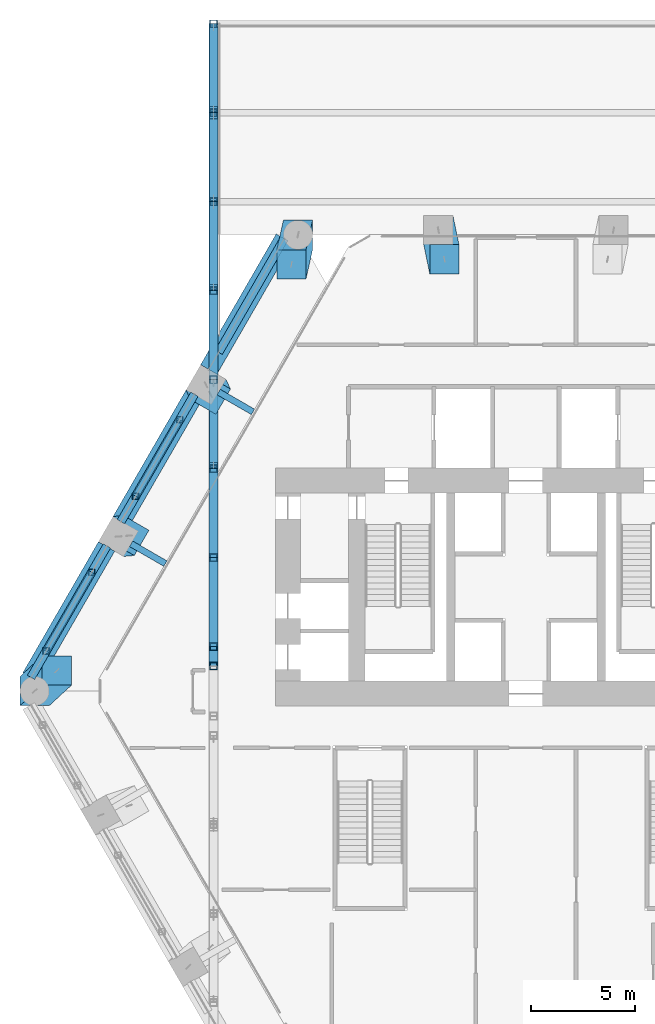
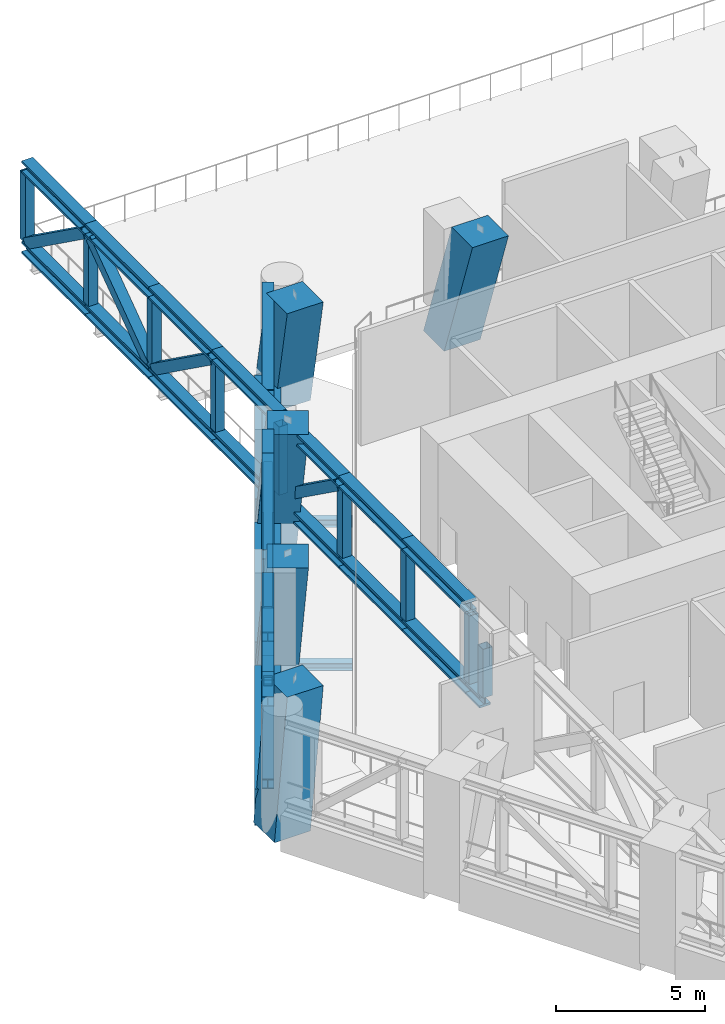
# One storey, part 5 of 20: 49 members, 5 beams.
"""IFC4 building model written with IfcOpenShell, lengths in metres."""

from ifc_helpers import new_model, si_unit, direction, frame, origin, origin_2d, place, context, subcontext, project, spatial, rectangle, hollow_rectangle, i_section, extrude, material, material_profile, profile_set, type_object, element, save


model = new_model("IFC4")

# Units and contexts
model_context = context("Model", 3, precision=1e-05, world=origin(), true_north=direction((0.0, 1.0)))
body_context = subcontext(model_context, "Body", "Model", "MODEL_VIEW")
ifc_project = project(units=[si_unit("LENGTHUNIT", "METRE"), si_unit("AREAUNIT", "SQUARE_METRE"), si_unit("VOLUMEUNIT", "CUBIC_METRE"), si_unit("PLANEANGLEUNIT", "RADIAN"), si_unit("MASSUNIT", "GRAM", prefix="KILO")], contexts=[model_context])

# Site, building, storey
site_placement = place(None, origin())
site = spatial("IfcSite", under=ifc_project, at=site_placement, CompositionType="ELEMENT")
building_placement = place(site_placement, origin())
building = spatial("IfcBuilding", under=site, at=building_placement, Name="Ostrander Bayou Hotel Tower", CompositionType="ELEMENT")
storey_placement = place(building_placement, frame((0.0, 0.0, 80.5)))
storey = spatial("IfcBuildingStorey", under=building, at=storey_placement, Name="L20", CompositionType="ELEMENT", Elevation=80.5)

# Members
ifc_material_1 = material(Name="Steel ASTM A992", Category="steel")
ifc_material_profile_1 = material_profile(ifc_material_1, i_section(OverallWidth=0.403564453125, OverallDepth=0.407470703125, WebThickness=0.027099609375, FlangeThickness=0.043701171875, at=origin_2d()))
ifc_profile_set_1 = profile_set([ifc_material_profile_1], Name="Steel ASTM A992")
member_type_1 = type_object("IfcMemberType", Name="BT1 belt truss chord W14x233", PredefinedType="CHORD", material=ifc_profile_set_1)
for number, where, z_axis, x_axis, name in (
    (1, (-11.5712890625, 20.694091796875, 0.20361328125), (-0.500005559427, -0.866022194024, 0.0), (0.866022194024, -0.500005559427, 0.0), "BT1 L20 NW-1B1"),
    (2, (-11.5712890625, 20.694091796875, 3.59619140625), (-0.500005559427, -0.866022194024, 0.0), (0.866022194024, -0.500005559427, 0.0), "BT1 L20 NW-1T1"),
):
    element("IfcMember", number, at=place(storey_placement, frame(where, z_axis=z_axis, x_axis=x_axis)), inside=storey, type_object=member_type_1, Name=name, PredefinedType="CHORD", context=body_context, shape_type="SweptSolid", body=[
        extrude(i_section(OverallWidth=0.403564453125, OverallDepth=0.407470703125, WebThickness=0.027099609375, FlangeThickness=0.043701171875, at=origin_2d()), origin(), (0.0, 0.0, 1.0), 6.29541015625),
    ])
member_1_placement = place(storey_placement, frame((-15.876708984375, 13.237060546875, 0.20361328125), z_axis=(-0.500012199891, -0.86601836006, 0.0), x_axis=(0.86601836006, -0.500012199891, 0.0)))
element("IfcMember", 3, at=member_1_placement, inside=storey, type_object=member_type_1, Name="BT1 L20 NW-2B1", PredefinedType="CHORD", context=body_context, shape_type="SweptSolid", body=[
    extrude(i_section(OverallWidth=0.403564453125, OverallDepth=0.407470703125, WebThickness=0.027099609375, FlangeThickness=0.043701171875, at=origin_2d()), origin(), (0.0, 0.0, 1.0), 5.640380859375),
])
for number, where, z_axis, x_axis, name in (
    (4, (-18.697021484375, 8.352294921875, 0.20361328125), (-0.500012199891, -0.86601836006, 0.0), (0.86601836006, -0.500012199891, 0.0), "BT1 L20 NW-2B2"),
    (5, (-15.876708984375, 13.237060546875, 3.59619140625), (-0.500012199891, -0.86601836006, 0.0), (0.86601836006, -0.500012199891, 0.0), "BT1 L20 NW-2T1"),
):
    element("IfcMember", number, at=place(storey_placement, frame(where, z_axis=z_axis, x_axis=x_axis)), inside=storey, type_object=member_type_1, Name=name, PredefinedType="CHORD", context=body_context, shape_type="SweptSolid", body=[
        extrude(i_section(OverallWidth=0.403564453125, OverallDepth=0.407470703125, WebThickness=0.027099609375, FlangeThickness=0.043701171875, at=origin_2d()), origin(), (0.0, 0.0, 1.0), 1.41015625),
    ])
member_2_placement = place(storey_placement, frame((-16.581787109375, 12.015869140625, 3.59619140625), z_axis=(-0.500012199891, -0.86601836006, 0.0), x_axis=(0.86601836006, -0.500012199891, 0.0)))
element("IfcMember", 6, at=member_2_placement, inside=storey, type_object=member_type_1, Name="BT1 L20 NW-2T2", PredefinedType="CHORD", context=body_context, shape_type="SweptSolid", body=[
    extrude(i_section(OverallWidth=0.403564453125, OverallDepth=0.407470703125, WebThickness=0.027099609375, FlangeThickness=0.043701171875, at=origin_2d()), origin(), (0.0, 0.0, 1.0), 5.640380859375),
])
member_3_placement = place(storey_placement, frame((-20.072021484375, 5.970458984375, 0.20361328125), z_axis=(-0.50000343918, -0.866023418164, 0.0), x_axis=(0.866023418164, -0.50000343918, 0.0)))
element("IfcMember", 7, at=member_3_placement, inside=storey, type_object=member_type_1, Name="BT1 L20 NW-3B1", PredefinedType="CHORD", context=body_context, shape_type="SweptSolid", body=[
    extrude(i_section(OverallWidth=0.403564453125, OverallDepth=0.407470703125, WebThickness=0.027099609375, FlangeThickness=0.043701171875, at=origin_2d()), origin(), (0.0, 0.0, 1.0), 1.4541015625),
])
for number, where, z_axis, x_axis, name in (
    (8, (-20.799072265625, 4.711181640625, 0.20361328125), (-0.50000343918, -0.866023418164, 0.0), (0.866023418164, -0.50000343918, 0.0), "BT1 L20 NW-3B2"),
    (9, (-20.072021484375, 5.970458984375, 3.59619140625), (-0.50000343918, -0.866023418164, 0.0), (0.866023418164, -0.50000343918, 0.0), "BT1 L20 NW-3T1"),
):
    element("IfcMember", number, at=place(storey_placement, frame(where, z_axis=z_axis, x_axis=x_axis)), inside=storey, type_object=member_type_1, Name=name, PredefinedType="CHORD", context=body_context, shape_type="SweptSolid", body=[
        extrude(i_section(OverallWidth=0.403564453125, OverallDepth=0.407470703125, WebThickness=0.027099609375, FlangeThickness=0.043701171875, at=origin_2d()), origin(), (0.0, 0.0, 1.0), 5.81640625),
    ])
member_4_placement = place(storey_placement, frame((-22.980224609375, 0.933349609375, 3.59619140625), z_axis=(-0.50000343918, -0.866023418164, 0.0), x_axis=(0.866023418164, -0.50000343918, 0.0)))
element("IfcMember", 10, at=member_4_placement, inside=storey, type_object=member_type_1, Name="BT1 L20 NW-3T2", PredefinedType="CHORD", context=body_context, shape_type="SweptSolid", body=[
    extrude(i_section(OverallWidth=0.403564453125, OverallDepth=0.407470703125, WebThickness=0.027099609375, FlangeThickness=0.043701171875, at=origin_2d()), origin(), (0.0, 0.0, 1.0), 1.4541015625),
])
ifc_material_2 = material(Name="Steel ASTM A572 Gr 50", Category="steel")
ifc_material_profile_2 = material_profile(ifc_material_2, hollow_rectangle(XDim=0.3046875, YDim=0.3046875, WallThickness=0.017822265625, at=origin_2d()))
ifc_profile_set_2 = profile_set([ifc_material_profile_2], Name="Steel ASTM A572 Gr 50")
member_type_2 = type_object("IfcMemberType", Name="BT2 belt truss diagonal box 12 x 12 x 3/4", PredefinedType="BRACE", material=ifc_profile_set_2)
member_5_placement = place(storey_placement, frame((-18.697021484375, 8.352294921875, 0.407470703125), z_axis=(0.408540891209, 0.707590560189, 0.57655003195), x_axis=(-0.86601836006, 0.500012199891, 0.0)))
element("IfcMember", 11, at=member_5_placement, inside=storey, type_object=member_type_2, Name="BT2 L20 NW-2D", PredefinedType="BRACE", context=body_context, shape_type="SweptSolid", body=[
    extrude(hollow_rectangle(XDim=0.3046875, YDim=0.3046875, WallThickness=0.017822265625, at=origin_2d()), origin(), (0.0, 0.0, 1.0), 5.177490234375),
])
member_6_placement = place(storey_placement, frame((-20.799072265625, 4.711181640625, 0.407470703125), z_axis=(-0.412639136014, -0.714705394077, 0.564734577574), x_axis=(0.866023418164, -0.50000343918, 0.0)))
element("IfcMember", 12, at=member_6_placement, inside=storey, type_object=member_type_2, Name="BT2 L20 NW-3D", PredefinedType="BRACE", context=body_context, shape_type="SweptSolid", body=[
    extrude(hollow_rectangle(XDim=0.3046875, YDim=0.3046875, WallThickness=0.017822265625, at=origin_2d()), origin(), (0.0, 0.0, 1.0), 5.285888671875),
])
ifc_material_3 = material(Name="Steel ASTM A500 Gr C", Category="steel")
ifc_material_profile_3 = material_profile(ifc_material_3, hollow_rectangle(XDim=0.3046875, YDim=0.3046875, WallThickness=0.0146484375, at=origin_2d()))
ifc_profile_set_3 = profile_set([ifc_material_profile_3], Name="Steel ASTM A500 Gr C")
member_type_3 = type_object("IfcMemberType", Name="BT7 belt truss vertical HSS12x12x5/8", PredefinedType="POST", material=ifc_profile_set_3)
for number, where, z_axis, x_axis, name in (
    (13, (-16.581787109375, 12.015869140625, 0.407470703125), (0.0, 0.0, 1.0), (1.0, 0.0, 0.0), "BT7 L20 NW-2V1"),
    (14, (-18.697021484375, 8.352294921875, 0.407470703125), (0.0, 0.0, 1.0), (1.0, 0.0, 0.0), "BT7 L20 NW-2V2"),
    (15, (-20.799072265625, 4.711181640625, 0.407470703125), (0.0, 0.0, 1.0), (1.0, 0.0, 0.0), "BT7 L20 NW-3V1"),
    (16, (-22.980224609375, 0.933349609375, 0.407470703125), (0.0, 0.0, 1.0), (1.0, 0.0, 0.0), "BT7 L20 NW-3V2"),
):
    element("IfcMember", number, at=place(storey_placement, frame(where, z_axis=z_axis, x_axis=x_axis)), inside=storey, type_object=member_type_3, Name=name, PredefinedType="POST", context=body_context, shape_type="SweptSolid", body=[
        extrude(hollow_rectangle(XDim=0.3046875, YDim=0.3046875, WallThickness=0.0146484375, at=origin_2d()), origin(), (0.0, 0.0, 1.0), 2.985107421875),
    ])
ifc_material_4 = material(Name="Concrete f'c 70 MPa", Category="concrete")
ifc_material_profile_4 = material_profile(ifc_material_4, rectangle(XDim=1.39990234375, YDim=1.39990234375, at=origin_2d()))
ifc_profile_set_4 = profile_set([ifc_material_profile_4], Name="Concrete f'c 70 MPa")
member_type_4 = type_object("IfcMemberType", Name="KC1 kinked column 1400 x 1400 mm f'c 70 MPa", PredefinedType="STRUT", material=ifc_profile_set_4)
member_7_placement = place(storey_placement, frame((-10.916748046875, 20.872314453125, -1.199951171875), z_axis=(0.0, 0.0, 1.0), x_axis=(1.0, 0.0, 0.0)))
element("IfcMember", 17, at=member_7_placement, inside=storey, type_object=member_type_4, Name="KC1 L20 K0", PredefinedType="STRUT", context=body_context, shape_type="SweptSolid", body=[
    extrude(rectangle(XDim=1.39990234375, YDim=1.39990234375, at=origin_2d()), origin(), (-0.061062211322, -0.271543935141, 0.960487010655), 5.205810546875),
])
member_8_placement = place(storey_placement, frame((-23.5341796875, -0.98193359375, -1.199951171875), z_axis=(0.0, 0.0, 1.0), x_axis=(1.0, 0.0, 0.0)))
element("IfcMember", 18, at=member_8_placement, inside=storey, type_object=member_type_4, Name="KC1 L20 K1", PredefinedType="STRUT", context=body_context, shape_type="SweptSolid", body=[
    extrude(rectangle(XDim=1.39990234375, YDim=1.39990234375, at=origin_2d()), origin(), (0.204620963045, 0.188628355115, 0.960494458667), 5.20556640625),
])
member_9_placement = place(storey_placement, frame((-4.1953125, 21.10009765625, -1.199951171875), z_axis=(0.0, 0.0, 1.0), x_axis=(1.0, 0.0, 0.0)))
element("IfcMember", 19, at=member_9_placement, inside=storey, type_object=member_type_4, Name="KC1 L20 N2", PredefinedType="STRUT", context=body_context, shape_type="SweptSolid", body=[
    extrude(rectangle(XDim=1.39990234375, YDim=1.39990234375, at=origin_2d()), origin(), (0.055491260769, -0.269240592648, 0.961472944627), 5.200439453125),
])
member_10_placement = place(storey_placement, frame((-15.3251953125, 13.6923828125, -1.199951171875), z_axis=(0.0, 0.0, 1.0), x_axis=(0.5, 0.866025403784, 0.0)))
element("IfcMember", 20, at=member_10_placement, inside=storey, type_object=member_type_4, Name="KC1 L20 NW1", PredefinedType="STRUT", context=body_context, shape_type="SweptSolid", body=[
    extrude(rectangle(XDim=1.39990234375, YDim=1.39990234375, at=origin_2d()), origin(), (-0.057425422345, -0.083189594665, 0.994877787574), 5.025634765625),
])
member_11_placement = place(storey_placement, frame((-19.5205078125, 6.42578125, -1.199951171875), z_axis=(0.0, 0.0, 1.0), x_axis=(0.5, 0.866025403784, 0.0)))
element("IfcMember", 21, at=member_11_placement, inside=storey, type_object=member_type_4, Name="KC1 L20 NW2", PredefinedType="STRUT", context=body_context, shape_type="SweptSolid", body=[
    extrude(rectangle(XDim=1.39990234375, YDim=1.39990234375, at=origin_2d()), origin(), (0.057443154127, -0.083172240782, 0.994878214862), 5.025634765625),
])

# Beams
ifc_material_5 = material(Name="Steel ASTM A992", Category="steel")
ifc_material_profile_5 = material_profile(ifc_material_5, i_section(OverallWidth=0.3046875, OverallDepth=0.307861328125, WebThickness=0.010009765625, FlangeThickness=0.015380859375, at=origin_2d()))
ifc_profile_set_5 = profile_set([ifc_material_profile_5], Name="Steel ASTM A992")
beam_type_1 = type_object("IfcBeamType", Name="LB1 loggia bracket W12x65", PredefinedType="BEAM", material=ifc_profile_set_5)
for number, where, z_axis, x_axis, name in (
    (22, (-14.718994140625, 13.34228515625, -0.453857421875), (0.866044365799, -0.499967155389, 0.0), (0.499967155389, 0.866044365799, 0.0), "LB1 L20 NW1"),
    (23, (-18.914306640625, 6.07568359375, -0.453857421875), (0.866044365799, -0.499967155389, 0.0), (0.499967155389, 0.866044365799, 0.0), "LB1 L20 NW2"),
):
    element("IfcBeam", number, at=place(storey_placement, frame(where, z_axis=z_axis, x_axis=x_axis)), inside=storey, type_object=beam_type_1, Name=name, PredefinedType="BEAM", context=body_context, shape_type="SweptSolid", body=[
        extrude(i_section(OverallWidth=0.3046875, OverallDepth=0.307861328125, WebThickness=0.010009765625, FlangeThickness=0.015380859375, at=origin_2d()), origin(), (0.0, 0.0, 1.0), 1.900146484375),
    ])
ifc_material_6 = material(Name="Concrete f'c 70 MPa", Category="concrete")
ifc_material_profile_6 = material_profile(ifc_material_6, rectangle(XDim=0.89990234375, YDim=1.5, at=origin_2d()))
ifc_profile_set_6 = profile_set([ifc_material_profile_6], Name="Concrete f'c 70 MPa")
beam_type_2 = type_object("IfcBeamType", Name="SPB1 belt spandrel beam 900 x 1500 mm f'c 70 MPa", PredefinedType="SPANDREL", material=ifc_profile_set_6)
beam_1_placement = place(storey_placement, frame((-11.5712890625, 20.694091796875, -0.75), z_axis=(-0.50000343918, -0.866023418164, 0.0), x_axis=(0.866023418164, -0.50000343918, 0.0)))
element("IfcBeam", 24, at=beam_1_placement, inside=storey, type_object=beam_type_2, Name="SP1 L20 NW-1", PredefinedType="SPANDREL", context=body_context, shape_type="SweptSolid", body=[
    extrude(rectangle(XDim=0.89990234375, YDim=1.5, at=origin_2d()), origin(), (0.0, 0.0, 1.0), 7.2705078125),
])
beam_2_placement = place(storey_placement, frame((-15.876708984375, 13.237060546875, -0.75), z_axis=(-0.500012199891, -0.86601836006, 0.0), x_axis=(0.86601836006, -0.500012199891, 0.0)))
element("IfcBeam", 25, at=beam_2_placement, inside=storey, type_object=beam_type_2, Name="SP1 L20 NW-2", PredefinedType="SPANDREL", context=body_context, shape_type="SweptSolid", body=[
    extrude(rectangle(XDim=0.89990234375, YDim=1.5, at=origin_2d()), origin(), (0.0, 0.0, 1.0), 7.050537109375),
])
beam_3_placement = place(storey_placement, frame((-20.072021484375, 5.970458984375, -0.75), z_axis=(-0.50000343918, -0.866023418164, 0.0), x_axis=(0.866023418164, -0.50000343918, 0.0)))
element("IfcBeam", 26, at=beam_3_placement, inside=storey, type_object=beam_type_2, Name="SP1 L20 NW-3", PredefinedType="SPANDREL", context=body_context, shape_type="SweptSolid", body=[
    extrude(rectangle(XDim=0.89990234375, YDim=1.5, at=origin_2d()), origin(), (0.0, 0.0, 1.0), 7.2705078125),
])

# Members
ifc_material_7 = material(Name="Steel ASTM A992", Category="steel")
ifc_material_profile_7 = material_profile(ifc_material_7, i_section(OverallWidth=0.43212890625, OverallDepth=0.497802734375, WebThickness=0.0556640625, FlangeThickness=0.0888671875, at=origin_2d()))
ifc_profile_set_7 = profile_set([ifc_material_profile_7], Name="Steel ASTM A992")
member_type_5 = type_object("IfcMemberType", Name="TT1 through-truss chord W14x500", PredefinedType="CHORD", material=ifc_profile_set_7)
for number, where, z_axis, x_axis, name in (
    (27, (-14.965087890625, 30.986083984375, 0.248779296875), (0.0, -1.0, 0.0), (1.0, 0.0, 0.0), "TT1 SB1A B1"),
    (28, (-14.965087890625, 30.986083984375, 3.551025390625), (0.0, -1.0, 0.0), (1.0, 0.0, 0.0), "TT1 SB1A T1"),
):
    element("IfcMember", number, at=place(storey_placement, frame(where, z_axis=z_axis, x_axis=x_axis)), inside=storey, type_object=member_type_5, Name=name, PredefinedType="CHORD", context=body_context, shape_type="SweptSolid", body=[
        extrude(i_section(OverallWidth=0.43212890625, OverallDepth=0.497802734375, WebThickness=0.0556640625, FlangeThickness=0.0888671875, at=origin_2d()), origin(), (0.0, 0.0, 1.0), 4.26220703125),
    ])
for number, where, z_axis, x_axis, name in (
    (29, (-14.965087890625, 26.723876953125, 0.248779296875), (0.0, -1.0, 0.0), (1.0, 0.0, 0.0), "TT1 SB1A B2"),
    (30, (-14.965087890625, 26.723876953125, 3.551025390625), (0.0, -1.0, 0.0), (1.0, 0.0, 0.0), "TT1 SB1A T2"),
    (31, (-14.965087890625, 22.46142578125, 0.248779296875), (0.0, -1.0, 0.0), (1.0, 0.0, 0.0), "TT1 SB1A B3"),
    (32, (-14.965087890625, 22.46142578125, 3.551025390625), (0.0, -1.0, 0.0), (1.0, 0.0, 0.0), "TT1 SB1A T3"),
    (33, (-14.965087890625, 18.198974609375, 0.248779296875), (0.0, -1.0, 0.0), (1.0, 0.0, 0.0), "TT1 SB1A B4"),
    (34, (-14.965087890625, 18.198974609375, 3.551025390625), (0.0, -1.0, 0.0), (1.0, 0.0, 0.0), "TT1 SB1A T4"),
    (35, (-14.965087890625, 13.9365234375, 0.248779296875), (0.0, -1.0, 0.0), (1.0, 0.0, 0.0), "TT1 SB1A B5"),
    (36, (-14.965087890625, 13.9365234375, 3.551025390625), (0.0, -1.0, 0.0), (1.0, 0.0, 0.0), "TT1 SB1A T5"),
    (37, (-14.965087890625, 9.674072265625, 0.248779296875), (0.0, -1.0, 0.0), (1.0, 0.0, 0.0), "TT1 SB1A B6"),
    (38, (-14.965087890625, 9.674072265625, 3.551025390625), (0.0, -1.0, 0.0), (1.0, 0.0, 0.0), "TT1 SB1A T6"),
):
    element("IfcMember", number, at=place(storey_placement, frame(where, z_axis=z_axis, x_axis=x_axis)), inside=storey, type_object=member_type_5, Name=name, PredefinedType="CHORD", context=body_context, shape_type="SweptSolid", body=[
        extrude(i_section(OverallWidth=0.43212890625, OverallDepth=0.497802734375, WebThickness=0.0556640625, FlangeThickness=0.0888671875, at=origin_2d()), origin(), (0.0, 0.0, 1.0), 4.262451171875),
    ])
for number, where, z_axis, x_axis, name in (
    (39, (-14.965087890625, 5.41162109375, 0.248779296875), (0.0, -1.0, 0.0), (1.0, 0.0, 0.0), "TT1 SB1A B7"),
    (40, (-14.965087890625, 5.41162109375, 3.551025390625), (0.0, -1.0, 0.0), (1.0, 0.0, 0.0), "TT1 SB1A T7"),
):
    element("IfcMember", number, at=place(storey_placement, frame(where, z_axis=z_axis, x_axis=x_axis)), inside=storey, type_object=member_type_5, Name=name, PredefinedType="CHORD", context=body_context, shape_type="SweptSolid", body=[
        extrude(i_section(OverallWidth=0.43212890625, OverallDepth=0.497802734375, WebThickness=0.0556640625, FlangeThickness=0.0888671875, at=origin_2d()), origin(), (0.0, 0.0, 1.0), 4.26220703125),
    ])
member_12_placement = place(storey_placement, frame((-14.965087890625, 1.1494140625, 0.248779296875), z_axis=(0.0, -1.0, 0.0), x_axis=(1.0, 0.0, 0.0)))
element("IfcMember", 41, at=member_12_placement, inside=storey, type_object=member_type_5, Name="TT1 SB1A B8", PredefinedType="CHORD", context=body_context, shape_type="SweptSolid", body=[
    extrude(i_section(OverallWidth=0.43212890625, OverallDepth=0.497802734375, WebThickness=0.0556640625, FlangeThickness=0.0888671875, at=origin_2d()), origin(), (0.0, 0.0, 1.0), 0.931396484375),
])
ifc_material_8 = material(Name="Steel ASTM A500 Gr C", Category="steel")
ifc_material_profile_8 = material_profile(ifc_material_8, hollow_rectangle(XDim=0.355712890625, YDim=0.355712890625, WallThickness=0.0146484375, at=origin_2d()))
ifc_profile_set_8 = profile_set([ifc_material_profile_8], Name="Steel ASTM A500 Gr C")
member_type_6 = type_object("IfcMemberType", Name="TT2 through-truss post HSS14x14x5/8", PredefinedType="POST", material=ifc_profile_set_8)
for number, where, z_axis, x_axis, name in (
    (42, (-14.965087890625, 30.986083984375, 0.497802734375), (0.0, 0.0, 1.0), (1.0, 0.0, 0.0), "TT2 SB1A P1"),
    (43, (-14.965087890625, 26.723876953125, 0.497802734375), (0.0, 0.0, 1.0), (1.0, 0.0, 0.0), "TT2 SB1A P2"),
    (44, (-14.965087890625, 22.46142578125, 0.497802734375), (0.0, 0.0, 1.0), (1.0, 0.0, 0.0), "TT2 SB1A P3"),
    (45, (-14.965087890625, 18.198974609375, 0.497802734375), (0.0, 0.0, 1.0), (1.0, 0.0, 0.0), "TT2 SB1A P4"),
    (46, (-14.965087890625, 13.9365234375, 0.497802734375), (0.0, 0.0, 1.0), (1.0, 0.0, 0.0), "TT2 SB1A P5"),
    (47, (-14.965087890625, 9.674072265625, 0.497802734375), (0.0, 0.0, 1.0), (1.0, 0.0, 0.0), "TT2 SB1A P6"),
    (48, (-14.965087890625, 5.41162109375, 0.497802734375), (0.0, 0.0, 1.0), (1.0, 0.0, 0.0), "TT2 SB1A P7"),
    (49, (-14.965087890625, 1.1494140625, 0.497802734375), (0.0, 0.0, 1.0), (1.0, 0.0, 0.0), "TT2 SB1A P8"),
):
    element("IfcMember", number, at=place(storey_placement, frame(where, z_axis=z_axis, x_axis=x_axis)), inside=storey, type_object=member_type_6, Name=name, PredefinedType="POST", context=body_context, shape_type="SweptSolid", body=[
        extrude(hollow_rectangle(XDim=0.355712890625, YDim=0.355712890625, WallThickness=0.0146484375, at=origin_2d()), origin(), (0.0, 0.0, 1.0), 2.804443359375),
    ])
member_13_placement = place(storey_placement, frame((-14.965087890625, 0.218017578125, 0.497802734375), z_axis=(0.0, 0.0, 1.0), x_axis=(1.0, 0.0, 0.0)))
element("IfcMember", 50, at=member_13_placement, inside=storey, type_object=member_type_6, Name="TT2 SB1A KN8a", PredefinedType="POST", context=body_context, shape_type="SweptSolid", body=[
    extrude(hollow_rectangle(XDim=0.355712890625, YDim=0.355712890625, WallThickness=0.0146484375, at=origin_2d()), origin(), (0.0, 0.0, 1.0), 2.002197265625),
])
ifc_material_9 = material(Name="Steel ASTM A572 Gr 50", Category="steel")
ifc_material_profile_9 = material_profile(ifc_material_9, hollow_rectangle(XDim=0.406494140625, YDim=0.406494140625, WallThickness=0.017822265625, at=origin_2d()))
ifc_profile_set_9 = profile_set([ifc_material_profile_9], Name="Steel ASTM A572 Gr 50")
member_type_7 = type_object("IfcMemberType", Name="TT3 through-truss diagonal box 16 x 16 x 3/4", PredefinedType="BRACE", material=ifc_profile_set_9)
for number, where, z_axis, x_axis, name in (
    (51, (-14.965087890625, 30.808349609375, 0.497802734375), (0.0, -0.812362582887, 0.583152667768), (1.0, 0.0, 0.0), "TT3 SB1A D1"),
    (52, (-14.965087890625, 22.63916015625, 0.497802734375), (0.0, 0.812362582887, 0.583152667768), (-1.0, 0.0, 0.0), "TT3 SB1A D2"),
):
    element("IfcMember", number, at=place(storey_placement, frame(where, z_axis=z_axis, x_axis=x_axis)), inside=storey, type_object=member_type_7, Name=name, PredefinedType="BRACE", context=body_context, shape_type="SweptSolid", body=[
        extrude(hollow_rectangle(XDim=0.406494140625, YDim=0.406494140625, WallThickness=0.017822265625, at=origin_2d()), origin(), (0.0, 0.0, 1.0), 4.80908203125),
    ])
for number, where, z_axis, x_axis, name in (
    (53, (-14.965087890625, 22.28369140625, 0.497802734375), (0.0, -0.81237984577, 0.583128618906), (1.0, 0.0, 0.0), "TT3 SB1A D3"),
    (54, (-14.965087890625, 13.7587890625, 0.497802734375), (0.0, -0.81237984577, 0.583128618906), (1.0, 0.0, 0.0), "TT3 SB1A D5"),
):
    element("IfcMember", number, at=place(storey_placement, frame(where, z_axis=z_axis, x_axis=x_axis)), inside=storey, type_object=member_type_7, Name=name, PredefinedType="BRACE", context=body_context, shape_type="SweptSolid", body=[
        extrude(hollow_rectangle(XDim=0.406494140625, YDim=0.406494140625, WallThickness=0.017822265625, at=origin_2d()), origin(), (0.0, 0.0, 1.0), 4.809326171875),
    ])

save(model, "model.ifc")
